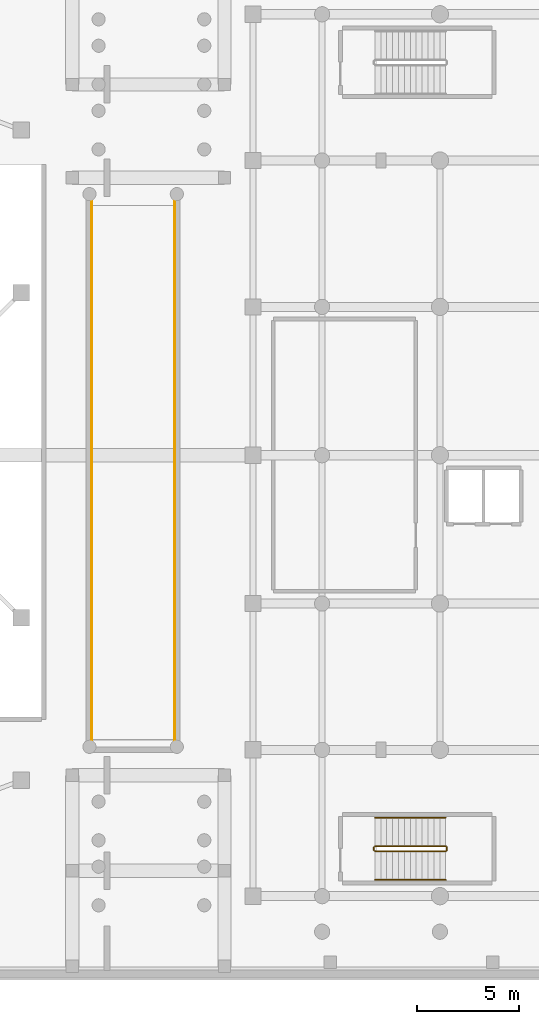
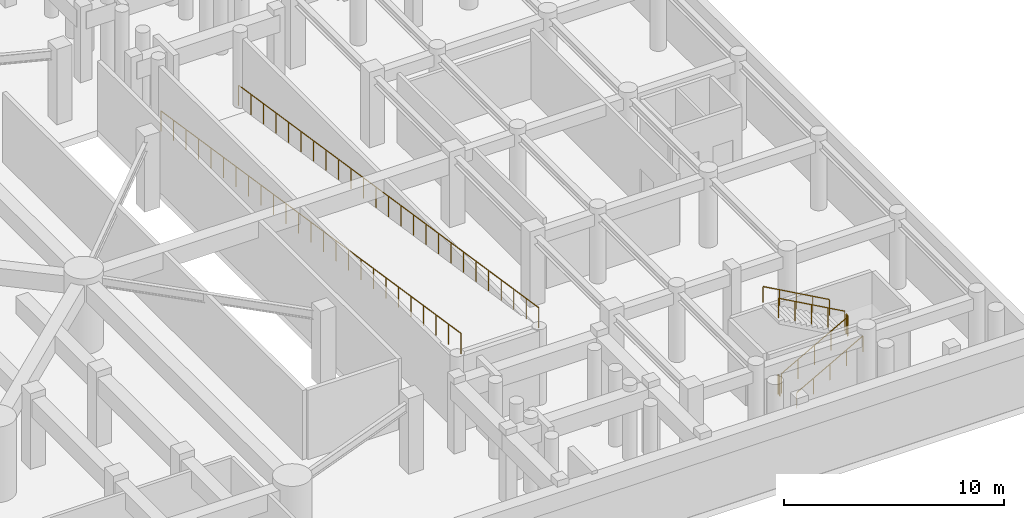
# One storey, part 9 of 11: 8 railings.
"""IFC4 building model written with IfcOpenShell, lengths in metres."""

from ifc_helpers import new_model, si_unit, direction, frame, origin, origin_2d, place, context, subcontext, project, spatial, circle, extrude, material, layer, layer_set, type_object, element, save


model = new_model("IFC4")

# Units and contexts
model_context = context("Model", 3, precision=1e-05, world=origin(), true_north=direction((0.0, 1.0)))
body_context = subcontext(model_context, "Body", "Model", "MODEL_VIEW")
ifc_project = project(units=[si_unit("LENGTHUNIT", "METRE"), si_unit("AREAUNIT", "SQUARE_METRE"), si_unit("VOLUMEUNIT", "CUBIC_METRE"), si_unit("PLANEANGLEUNIT", "RADIAN"), si_unit("MASSUNIT", "GRAM", prefix="KILO")], contexts=[model_context])

# Site, building, storey
site_placement = place(None, origin())
site = spatial("IfcSite", under=ifc_project, at=site_placement, CompositionType="ELEMENT")
building_placement = place(site_placement, origin())
building = spatial("IfcBuilding", under=site, at=building_placement, Name="Karkom Vertical University and Central Library", CompositionType="ELEMENT")
storey_placement = place(building_placement, frame((0.0, 0.0, -4.199951171875)))
storey = spatial("IfcBuildingStorey", under=building, at=storey_placement, Name="B01", CompositionType="ELEMENT", Elevation=-4.199951171875)

# Railings
ifc_material_1 = material(Name="Painted galvanised steel balustrade", Category="steel")
ifc_layer_1 = layer(ifc_material_1, 0.06005859375)
ifc_layer_set_1 = layer_set([ifc_layer_1], Name="Painted galvanised steel balustrade")
railing_type_1 = type_object("IfcRailingType", Name="INT-RL-GUARD1100", PredefinedType="GUARDRAIL", material=ifc_layer_set_1)
railing_1_placement = place(storey_placement, frame((72.199951171875, 7.0, 0.161376953125)))
element("IfcRailing", 1, at=railing_1_placement, inside=storey, type_object=railing_type_1, Name="Basement 01 LIB-ST1 stair guard 1", PredefinedType="GUARDRAIL", context=body_context, shape_type="SweptSolid", body=[
    extrude(circle(Radius=0.02392578125, at=origin_2d()), frame((0.0, 0.0, 1.076171875), z_axis=(0.87360743253, 0.0, 0.486631332559), x_axis=(0.0, 1.0, 0.0)), (0.0, 0.0, 1.0), 3.9833984375),
    extrude(circle(Radius=0.02099609375, at=origin_2d()), origin(), (0.0, 0.0, 1.0), 1.052001953125),
    extrude(circle(Radius=0.02099609375, at=origin_2d()), frame((0.8701171875, 0.0, 0.484619140625)), (0.0, 0.0, 1.0), 1.052001953125),
    extrude(circle(Radius=0.02099609375, at=origin_2d()), frame((1.739990234375, 0.0, 0.96923828125)), (0.0, 0.0, 1.0), 1.052001953125),
    extrude(circle(Radius=0.02099609375, at=origin_2d()), frame((2.60986328125, 0.0, 1.453857421875)), (0.0, 0.0, 1.0), 1.052001953125),
    extrude(circle(Radius=0.02099609375, at=origin_2d()), frame((3.47998046875, 0.0, 1.9384765625)), (0.0, 0.0, 1.0), 1.052001953125),
])
railing_2_placement = place(storey_placement, frame((75.72998046875, 7.050048828125, 2.099853515625)))
element("IfcRailing", 2, at=railing_2_placement, inside=storey, type_object=railing_type_1, Name="Basement 01 LIB-ST1 stair guard 2", PredefinedType="GUARDRAIL", context=body_context, shape_type="SweptSolid", body=[
    extrude(circle(Radius=0.02392578125, at=origin_2d()), frame((0.0, 0.0, 1.076171875), z_axis=(0.0, 1.0, 0.0), x_axis=(-1.0, 0.0, 0.0)), (0.0, 0.0, 1.0), 0.159912109375),
    extrude(circle(Radius=0.02099609375, at=origin_2d()), origin(), (0.0, 0.0, 1.0), 1.052001953125),
    extrude(circle(Radius=0.02099609375, at=origin_2d()), frame((0.0, 0.159912109375, 0.0)), (0.0, 0.0, 1.0), 1.052001953125),
])
railing_3_placement = place(storey_placement, frame((75.679931640625, 7.260009765625, 2.261474609375)))
element("IfcRailing", 3, at=railing_3_placement, inside=storey, type_object=railing_type_1, Name="Basement 01 LIB-ST1 stair guard 3", PredefinedType="GUARDRAIL", context=body_context, shape_type="SweptSolid", body=[
    extrude(circle(Radius=0.02392578125, at=origin_2d()), frame((0.0, 0.0, 1.076171875), z_axis=(-0.87360743253, 0.0, 0.486631332559), x_axis=(0.0, -1.0, 0.0)), (0.0, 0.0, 1.0), 3.9833984375),
    extrude(circle(Radius=0.02099609375, at=origin_2d()), origin(), (0.0, 0.0, 1.0), 1.052001953125),
    extrude(circle(Radius=0.02099609375, at=origin_2d()), frame((-0.8701171875, 0.0, 0.484619140625)), (0.0, 0.0, 1.0), 1.052001953125),
    extrude(circle(Radius=0.02099609375, at=origin_2d()), frame((-1.739990234375, 0.0, 0.96923828125)), (0.0, 0.0, 1.0), 1.052001953125),
    extrude(circle(Radius=0.02099609375, at=origin_2d()), frame((-2.60986328125, 0.0, 1.453857421875)), (0.0, 0.0, 1.0), 1.052001953125),
    extrude(circle(Radius=0.02099609375, at=origin_2d()), frame((-3.47998046875, 0.0, 1.9384765625)), (0.0, 0.0, 1.0), 1.052001953125),
])
railing_4_placement = place(storey_placement, frame((72.14990234375, 7.050048828125, 0.0)))
element("IfcRailing", 4, at=railing_4_placement, inside=storey, type_object=railing_type_1, Name="Basement 01 LIB-ST1 stair guard 4", PredefinedType="GUARDRAIL", context=body_context, shape_type="SweptSolid", body=[
    extrude(circle(Radius=0.02392578125, at=origin_2d()), frame((0.0, 0.0, 1.076171875), z_axis=(0.0, 1.0, 0.0), x_axis=(-1.0, 0.0, 0.0)), (0.0, 0.0, 1.0), 0.159912109375),
    extrude(circle(Radius=0.02099609375, at=origin_2d()), origin(), (0.0, 0.0, 1.0), 1.052001953125),
    extrude(circle(Radius=0.02099609375, at=origin_2d()), frame((0.0, 0.159912109375, 0.0)), (0.0, 0.0, 1.0), 1.052001953125),
])
railing_5_placement = place(storey_placement, frame((58.260009765625, 39.300048828125, 0.0)))
element("IfcRailing", 5, at=railing_5_placement, inside=storey, type_object=railing_type_1, Name="Basement 01 Car Park Vehicle Ramp VR-1 Flight 2 Side Safety Guard W", PredefinedType="GUARDRAIL", context=body_context, shape_type="SweptSolid", body=[
    extrude(circle(Radius=0.02392578125, at=origin_2d()), frame((0.0, 0.0, 1.1259765625), z_axis=(0.0, -0.988372004199, 0.152055191675), x_axis=(1.0, 0.0, 0.0)), (0.0, 0.0, 1.0), 27.621337890625),
    extrude(circle(Radius=0.02099609375, at=origin_2d()), origin(), (0.0, 0.0, 1.0), 1.101806640625),
    extrude(circle(Radius=0.02099609375, at=origin_2d()), frame((0.0, -1.137451171875, 0.175048828125)), (0.0, 0.0, 1.0), 1.101806640625),
    extrude(circle(Radius=0.02099609375, at=origin_2d()), frame((0.0, -2.27490234375, 0.35009765625)), (0.0, 0.0, 1.0), 1.101806640625),
    extrude(circle(Radius=0.02099609375, at=origin_2d()), frame((0.0, -3.41259765625, 0.52490234375)), (0.0, 0.0, 1.0), 1.101806640625),
    extrude(circle(Radius=0.02099609375, at=origin_2d()), frame((0.0, -4.550048828125, 0.699951171875)), (0.0, 0.0, 1.0), 1.101806640625),
    extrude(circle(Radius=0.02099609375, at=origin_2d()), frame((0.0, -5.6875, 0.875)), (0.0, 0.0, 1.0), 1.101806640625),
    extrude(circle(Radius=0.02099609375, at=origin_2d()), frame((0.0, -6.824951171875, 1.050048828125)), (0.0, 0.0, 1.0), 1.101806640625),
    extrude(circle(Radius=0.02099609375, at=origin_2d()), frame((0.0, -7.96240234375, 1.22509765625)), (0.0, 0.0, 1.0), 1.101806640625),
    extrude(circle(Radius=0.02099609375, at=origin_2d()), frame((0.0, -9.10009765625, 1.39990234375)), (0.0, 0.0, 1.0), 1.101806640625),
    extrude(circle(Radius=0.02099609375, at=origin_2d()), frame((0.0, -10.237548828125, 1.574951171875)), (0.0, 0.0, 1.0), 1.101806640625),
    extrude(circle(Radius=0.02099609375, at=origin_2d()), frame((0.0, -11.375, 1.75)), (0.0, 0.0, 1.0), 1.101806640625),
    extrude(circle(Radius=0.02099609375, at=origin_2d()), frame((0.0, -12.512451171875, 1.925048828125)), (0.0, 0.0, 1.0), 1.101806640625),
    extrude(circle(Radius=0.02099609375, at=origin_2d()), frame((0.0, -13.64990234375, 2.10009765625)), (0.0, 0.0, 1.0), 1.101806640625),
    extrude(circle(Radius=0.02099609375, at=origin_2d()), frame((0.0, -14.78759765625, 2.27490234375)), (0.0, 0.0, 1.0), 1.101806640625),
    extrude(circle(Radius=0.02099609375, at=origin_2d()), frame((0.0, -15.925048828125, 2.449951171875)), (0.0, 0.0, 1.0), 1.101806640625),
    extrude(circle(Radius=0.02099609375, at=origin_2d()), frame((0.0, -17.0625, 2.625)), (0.0, 0.0, 1.0), 1.101806640625),
    extrude(circle(Radius=0.02099609375, at=origin_2d()), frame((0.0, -18.199951171875, 2.800048828125)), (0.0, 0.0, 1.0), 1.101806640625),
    extrude(circle(Radius=0.02099609375, at=origin_2d()), frame((0.0, -19.337646484375, 2.974853515625)), (0.0, 0.0, 1.0), 1.101806640625),
    extrude(circle(Radius=0.02099609375, at=origin_2d()), frame((0.0, -20.47509765625, 3.14990234375)), (0.0, 0.0, 1.0), 1.101806640625),
    extrude(circle(Radius=0.02099609375, at=origin_2d()), frame((0.0, -21.612548828125, 3.324951171875)), (0.0, 0.0, 1.0), 1.101806640625),
    extrude(circle(Radius=0.02099609375, at=origin_2d()), frame((0.0, -22.75, 3.5)), (0.0, 0.0, 1.0), 1.101806640625),
    extrude(circle(Radius=0.02099609375, at=origin_2d()), frame((0.0, -23.887451171875, 3.675048828125)), (0.0, 0.0, 1.0), 1.101806640625),
    extrude(circle(Radius=0.02099609375, at=origin_2d()), frame((0.0, -25.025146484375, 3.849853515625)), (0.0, 0.0, 1.0), 1.101806640625),
    extrude(circle(Radius=0.02099609375, at=origin_2d()), frame((0.0, -26.16259765625, 4.02490234375)), (0.0, 0.0, 1.0), 1.101806640625),
    extrude(circle(Radius=0.02099609375, at=origin_2d()), frame((0.0, -27.300048828125, 4.199951171875)), (0.0, 0.0, 1.0), 1.101806640625),
])
railing_6_placement = place(storey_placement, frame((62.340087890625, 39.300048828125, 0.0)))
element("IfcRailing", 6, at=railing_6_placement, inside=storey, type_object=railing_type_1, Name="Basement 01 Car Park Vehicle Ramp VR-1 Flight 2 Side Safety Guard E", PredefinedType="GUARDRAIL", context=body_context, shape_type="SweptSolid", body=[
    extrude(circle(Radius=0.02392578125, at=origin_2d()), frame((0.0, 0.0, 1.1259765625), z_axis=(0.0, -0.988372004199, 0.152055191675), x_axis=(1.0, 0.0, 0.0)), (0.0, 0.0, 1.0), 27.621337890625),
    extrude(circle(Radius=0.02099609375, at=origin_2d()), origin(), (0.0, 0.0, 1.0), 1.101806640625),
    extrude(circle(Radius=0.02099609375, at=origin_2d()), frame((0.0, -1.137451171875, 0.175048828125)), (0.0, 0.0, 1.0), 1.101806640625),
    extrude(circle(Radius=0.02099609375, at=origin_2d()), frame((0.0, -2.27490234375, 0.35009765625)), (0.0, 0.0, 1.0), 1.101806640625),
    extrude(circle(Radius=0.02099609375, at=origin_2d()), frame((0.0, -3.41259765625, 0.52490234375)), (0.0, 0.0, 1.0), 1.101806640625),
    extrude(circle(Radius=0.02099609375, at=origin_2d()), frame((0.0, -4.550048828125, 0.699951171875)), (0.0, 0.0, 1.0), 1.101806640625),
    extrude(circle(Radius=0.02099609375, at=origin_2d()), frame((0.0, -5.6875, 0.875)), (0.0, 0.0, 1.0), 1.101806640625),
    extrude(circle(Radius=0.02099609375, at=origin_2d()), frame((0.0, -6.824951171875, 1.050048828125)), (0.0, 0.0, 1.0), 1.101806640625),
    extrude(circle(Radius=0.02099609375, at=origin_2d()), frame((0.0, -7.96240234375, 1.22509765625)), (0.0, 0.0, 1.0), 1.101806640625),
    extrude(circle(Radius=0.02099609375, at=origin_2d()), frame((0.0, -9.10009765625, 1.39990234375)), (0.0, 0.0, 1.0), 1.101806640625),
    extrude(circle(Radius=0.02099609375, at=origin_2d()), frame((0.0, -10.237548828125, 1.574951171875)), (0.0, 0.0, 1.0), 1.101806640625),
    extrude(circle(Radius=0.02099609375, at=origin_2d()), frame((0.0, -11.375, 1.75)), (0.0, 0.0, 1.0), 1.101806640625),
    extrude(circle(Radius=0.02099609375, at=origin_2d()), frame((0.0, -12.512451171875, 1.925048828125)), (0.0, 0.0, 1.0), 1.101806640625),
    extrude(circle(Radius=0.02099609375, at=origin_2d()), frame((0.0, -13.64990234375, 2.10009765625)), (0.0, 0.0, 1.0), 1.101806640625),
    extrude(circle(Radius=0.02099609375, at=origin_2d()), frame((0.0, -14.78759765625, 2.27490234375)), (0.0, 0.0, 1.0), 1.101806640625),
    extrude(circle(Radius=0.02099609375, at=origin_2d()), frame((0.0, -15.925048828125, 2.449951171875)), (0.0, 0.0, 1.0), 1.101806640625),
    extrude(circle(Radius=0.02099609375, at=origin_2d()), frame((0.0, -17.0625, 2.625)), (0.0, 0.0, 1.0), 1.101806640625),
    extrude(circle(Radius=0.02099609375, at=origin_2d()), frame((0.0, -18.199951171875, 2.800048828125)), (0.0, 0.0, 1.0), 1.101806640625),
    extrude(circle(Radius=0.02099609375, at=origin_2d()), frame((0.0, -19.337646484375, 2.974853515625)), (0.0, 0.0, 1.0), 1.101806640625),
    extrude(circle(Radius=0.02099609375, at=origin_2d()), frame((0.0, -20.47509765625, 3.14990234375)), (0.0, 0.0, 1.0), 1.101806640625),
    extrude(circle(Radius=0.02099609375, at=origin_2d()), frame((0.0, -21.612548828125, 3.324951171875)), (0.0, 0.0, 1.0), 1.101806640625),
    extrude(circle(Radius=0.02099609375, at=origin_2d()), frame((0.0, -22.75, 3.5)), (0.0, 0.0, 1.0), 1.101806640625),
    extrude(circle(Radius=0.02099609375, at=origin_2d()), frame((0.0, -23.887451171875, 3.675048828125)), (0.0, 0.0, 1.0), 1.101806640625),
    extrude(circle(Radius=0.02099609375, at=origin_2d()), frame((0.0, -25.025146484375, 3.849853515625)), (0.0, 0.0, 1.0), 1.101806640625),
    extrude(circle(Radius=0.02099609375, at=origin_2d()), frame((0.0, -26.16259765625, 4.02490234375)), (0.0, 0.0, 1.0), 1.101806640625),
    extrude(circle(Radius=0.02099609375, at=origin_2d()), frame((0.0, -27.300048828125, 4.199951171875)), (0.0, 0.0, 1.0), 1.101806640625),
])
ifc_material_2 = material(Name="Brushed stainless-steel tubular handrail", Category="steel")
ifc_layer_2 = layer(ifc_material_2, 0.048095703125)
ifc_layer_set_2 = layer_set([ifc_layer_2], Name="Brushed stainless-steel tubular handrail")
railing_type_2 = type_object("IfcRailingType", Name="INT-RL-HAND920", PredefinedType="HANDRAIL", material=ifc_layer_set_2)
railing_7_placement = place(storey_placement, frame((72.199951171875, 5.60009765625, 0.161376953125)))
element("IfcRailing", 7, at=railing_7_placement, inside=storey, type_object=railing_type_2, Name="Basement 01 LIB-ST1 stair handrail 1", PredefinedType="HANDRAIL", context=body_context, shape_type="SweptSolid", body=[
    extrude(circle(Radius=0.02392578125, at=origin_2d()), frame((0.0, 0.0, 0.8759765625), z_axis=(0.87360743253, 0.0, 0.486631332559), x_axis=(0.0, 1.0, 0.0)), (0.0, 0.0, 1.0), 3.9833984375),
    extrude(circle(Radius=0.02099609375, at=origin_2d()), origin(), (0.0, 0.0, 1.0), 0.851806640625),
    extrude(circle(Radius=0.02099609375, at=origin_2d()), frame((0.8701171875, 0.0, 0.484619140625)), (0.0, 0.0, 1.0), 0.851806640625),
    extrude(circle(Radius=0.02099609375, at=origin_2d()), frame((1.739990234375, 0.0, 0.96923828125)), (0.0, 0.0, 1.0), 0.851806640625),
    extrude(circle(Radius=0.02099609375, at=origin_2d()), frame((2.60986328125, 0.0, 1.453857421875)), (0.0, 0.0, 1.0), 0.851806640625),
    extrude(circle(Radius=0.02099609375, at=origin_2d()), frame((3.47998046875, 0.0, 1.9384765625)), (0.0, 0.0, 1.0), 0.851806640625),
])
railing_8_placement = place(storey_placement, frame((75.679931640625, 8.659912109375, 2.261474609375)))
element("IfcRailing", 8, at=railing_8_placement, inside=storey, type_object=railing_type_2, Name="Basement 01 LIB-ST1 stair handrail 2", PredefinedType="HANDRAIL", context=body_context, shape_type="SweptSolid", body=[
    extrude(circle(Radius=0.02392578125, at=origin_2d()), frame((0.0, 0.0, 0.8759765625), z_axis=(-0.87360743253, 0.0, 0.486631332559), x_axis=(0.0, -1.0, 0.0)), (0.0, 0.0, 1.0), 3.9833984375),
    extrude(circle(Radius=0.02099609375, at=origin_2d()), origin(), (0.0, 0.0, 1.0), 0.851806640625),
    extrude(circle(Radius=0.02099609375, at=origin_2d()), frame((-0.8701171875, 0.0, 0.484619140625)), (0.0, 0.0, 1.0), 0.851806640625),
    extrude(circle(Radius=0.02099609375, at=origin_2d()), frame((-1.739990234375, 0.0, 0.96923828125)), (0.0, 0.0, 1.0), 0.851806640625),
    extrude(circle(Radius=0.02099609375, at=origin_2d()), frame((-2.60986328125, 0.0, 1.453857421875)), (0.0, 0.0, 1.0), 0.851806640625),
    extrude(circle(Radius=0.02099609375, at=origin_2d()), frame((-3.47998046875, 0.0, 1.9384765625)), (0.0, 0.0, 1.0), 0.851806640625),
])

save(model, "model.ifc")
